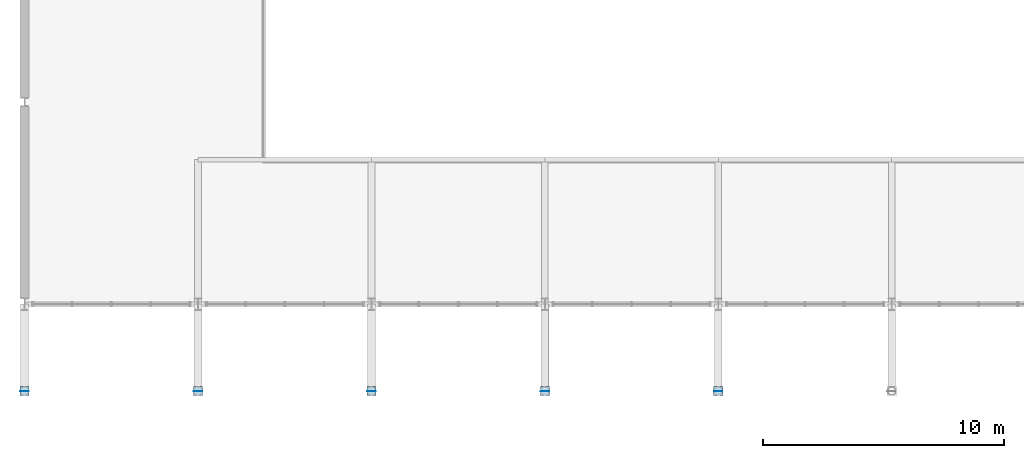
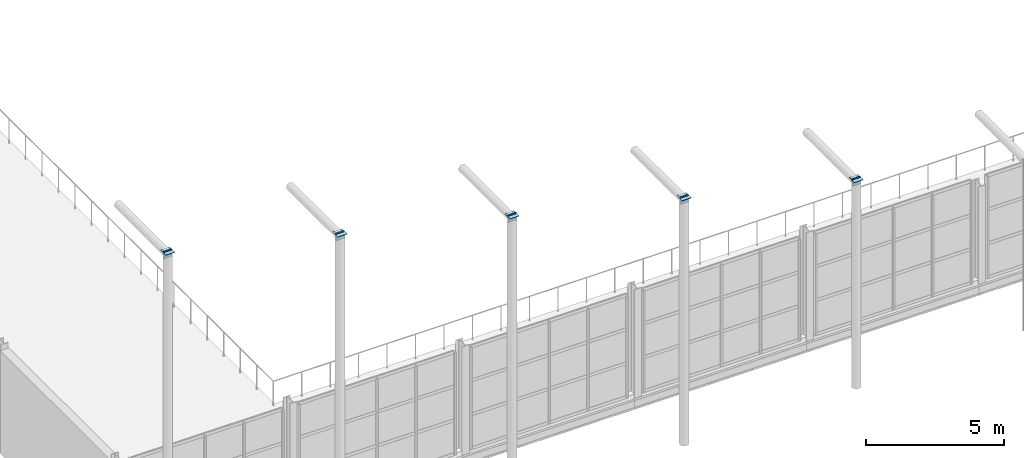
# One storey, part 118 of 143: 10 plates.
"""IFC4 building model written with IfcOpenShell, lengths in metres."""

from ifc_helpers import new_model, si_unit, derived_unit, direction, frame, origin, origin_2d, place, context, subcontext, project, spatial, rectangle, extrude, material, layer, layer_set, type_object, element, save


model = new_model("IFC4")

# Units and contexts
model_context = context("Model", 3, precision=1e-05, world=origin(), true_north=direction((0.0, 1.0)))
body_context = subcontext(model_context, "Body", "Model", "MODEL_VIEW")
ifc_project = project(units=[si_unit("LENGTHUNIT", "METRE"), si_unit("AREAUNIT", "SQUARE_METRE"), si_unit("VOLUMEUNIT", "CUBIC_METRE"), si_unit("PLANEANGLEUNIT", "RADIAN"), si_unit("MASSUNIT", "GRAM", prefix="KILO"), derived_unit("THERMALTRANSMITTANCEUNIT", [(si_unit("POWERUNIT", "WATT"), 1), (si_unit("LENGTHUNIT", "METRE"), -2), (si_unit("THERMODYNAMICTEMPERATUREUNIT", "KELVIN"), -1)])], contexts=[model_context])

# Site, building, storey
site_placement = place(None, origin())
site = spatial("IfcSite", under=ifc_project, at=site_placement, CompositionType="ELEMENT")
building_placement = place(site_placement, origin())
building = spatial("IfcBuilding", under=site, at=building_placement, Name="Keldorne Ridge Multi-Sports Centre", CompositionType="ELEMENT")
storey_placement = place(building_placement, frame((0.0, 0.0, 4.800048828125)))
storey = spatial("IfcBuildingStorey", under=building, at=storey_placement, Name="L01", CompositionType="ELEMENT", Elevation=4.800048828125)

# Plates
ifc_material = material(Name="Steel S355", Category="steel")
ifc_layer = layer(ifc_material, 0.01611328125)
ifc_layer_set = layer_set([ifc_layer], Name="Steel S355")
plate_type = type_object("IfcPlateType", Name="PLT-PL-EC1", PredefinedType="USERDEFINED", material=ifc_layer_set)
for number, where, z_axis, x_axis, name in (
    (1, (6.0, 6.0, 16.0498046875), (0.0, 0.0, 1.0), (1.0, 0.0, 0.0), "Colonnade CHS top cap plate V1-COLN-01"),
    (2, (13.199951171875, 6.0, 14.329833984375), (0.0, 0.0, 1.0), (1.0, 0.0, 0.0), "Colonnade CHS top cap plate V1-COLN-02"),
    (3, (20.39990234375, 6.0, 12.60986328125), (0.0, 0.0, 1.0), (1.0, 0.0, 0.0), "Colonnade CHS top cap plate V1-COLN-03"),
    (4, (27.60009765625, 6.0, 10.889892578125), (0.0, 0.0, 1.0), (1.0, 0.0, 0.0), "Colonnade CHS top cap plate V1-COLN-04"),
    (5, (34.800048828125, 6.0, 9.169921875), (0.0, 0.0, 1.0), (1.0, 0.0, 0.0), "Colonnade CHS top cap plate V1-COLN-05"),
):
    element("IfcPlate", number, at=place(storey_placement, frame(where, z_axis=z_axis, x_axis=x_axis)), inside=storey, type_object=plate_type, Name=name, ObjectType="GUSSET PLATE", PredefinedType="USERDEFINED", context=body_context, shape_type="SweptSolid", body=[
        extrude(rectangle(XDim=0.3798828125, YDim=0.3798828125, at=origin_2d()), origin(), (0.0, 0.0, 1.0), 0.01611328125),
    ])
for number, where, z_axis, x_axis, name in (
    (6, (6.0, 5.989990234375, 15.77490234375), (0.0, 0.0, 1.0), (1.0, 0.0, 0.0), "Colonnade rafter end cap 01"),
    (7, (13.199951171875, 5.989990234375, 14.054931640625), (0.0, 0.0, 1.0), (1.0, 0.0, 0.0), "Colonnade rafter end cap 02"),
    (8, (20.39990234375, 5.989990234375, 12.3349609375), (0.0, 0.0, 1.0), (1.0, 0.0, 0.0), "Colonnade rafter end cap 03"),
    (9, (27.60009765625, 5.989990234375, 10.614990234375), (0.0, 0.0, 1.0), (1.0, 0.0, 0.0), "Colonnade rafter end cap 04"),
    (10, (34.800048828125, 5.989990234375, 8.89501953125), (0.0, 0.0, 1.0), (1.0, 0.0, 0.0), "Colonnade rafter end cap 05"),
):
    element("IfcPlate", number, at=place(storey_placement, frame(where, z_axis=z_axis, x_axis=x_axis)), inside=storey, type_object=plate_type, Name=name, ObjectType="GUSSET PLATE", PredefinedType="USERDEFINED", context=body_context, shape_type="SweptSolid", body=[
        extrude(rectangle(XDim=0.35009765625, YDim=0.01611328125, at=origin_2d()), origin(), (0.0, 0.0, 1.0), 0.35009765625),
    ])

save(model, "model.ifc")
